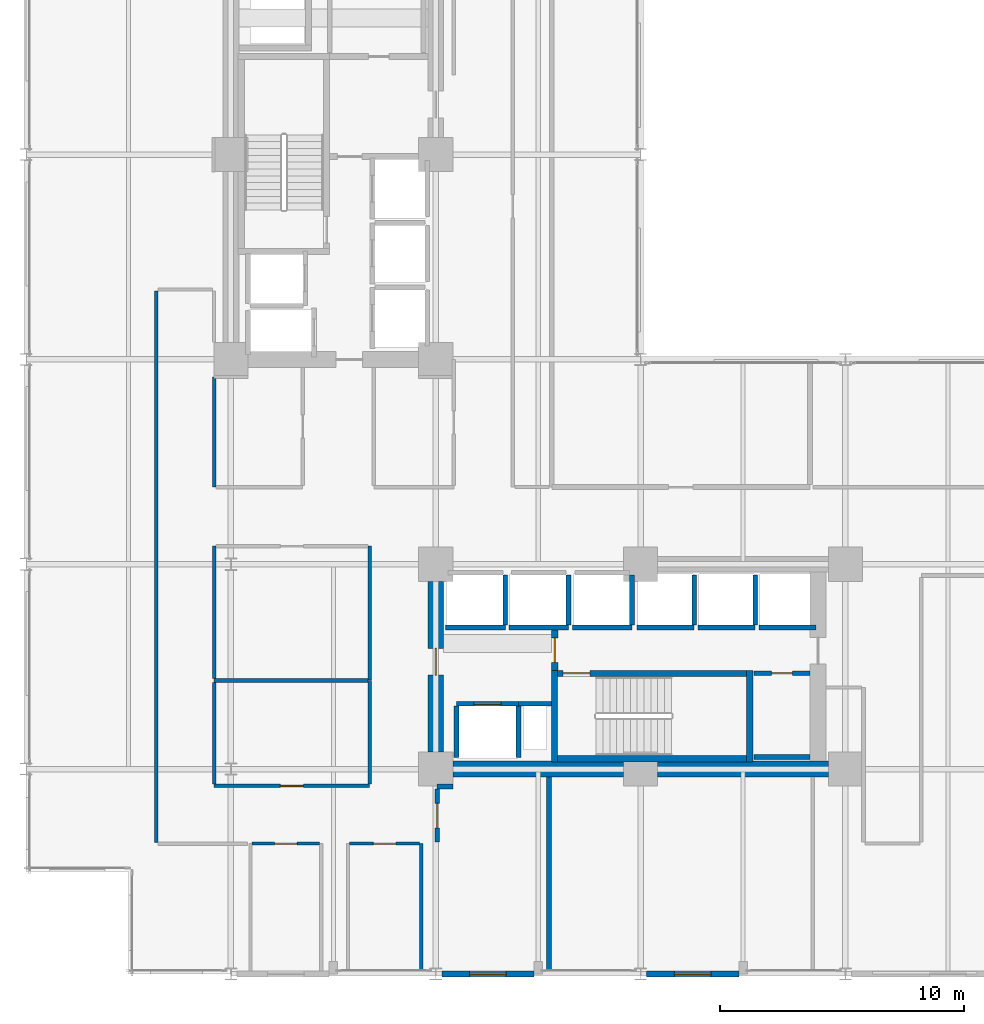
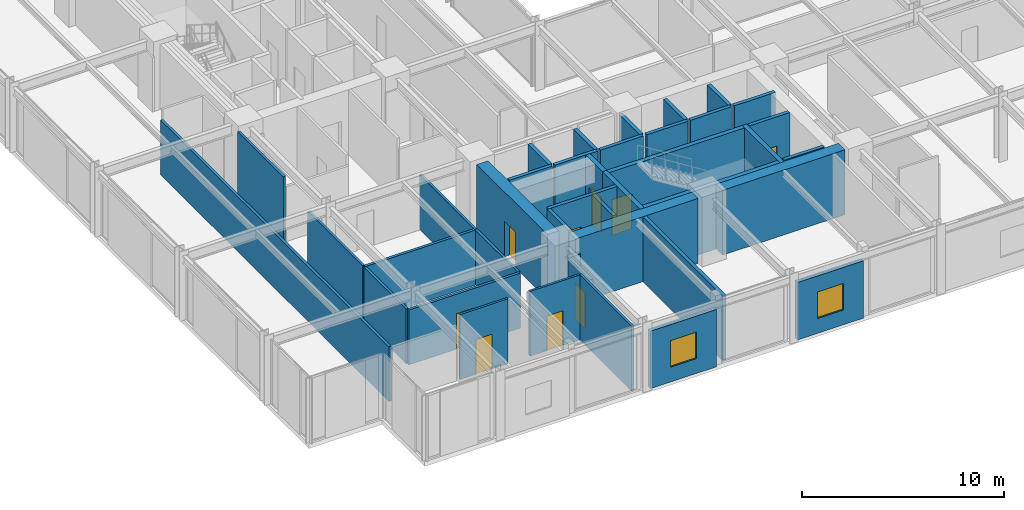
# One storey, part 21 of 26: 41 walls, 9 doors, 2 windows, 11 openings.
"""IFC4 building model written with IfcOpenShell, lengths in metres."""

from ifc_helpers import new_model, si_unit, direction, frame, frame_2d, origin, place, context, subcontext, project, spatial, rectangle, extrude, material, layer, layer_set, type_object, element, fill, save


model = new_model("IFC4")

# Units and contexts
model_context = context("Model", 3, precision=1e-05, world=origin(), true_north=direction((0.0, 1.0)))
body_context = subcontext(model_context, "Body", "Model", "MODEL_VIEW")
ifc_project = project(units=[si_unit("LENGTHUNIT", "METRE"), si_unit("AREAUNIT", "SQUARE_METRE"), si_unit("VOLUMEUNIT", "CUBIC_METRE"), si_unit("PLANEANGLEUNIT", "RADIAN"), si_unit("MASSUNIT", "GRAM", prefix="KILO")], contexts=[model_context])

# Site, building, storey
site_placement = place(None, origin())
site = spatial("IfcSite", under=ifc_project, at=site_placement, CompositionType="ELEMENT")
building_placement = place(site_placement, origin())
building = spatial("IfcBuilding", under=site, at=building_placement, Name="Nerrivon Quay Data Exchange", CompositionType="ELEMENT")
storey_placement = place(building_placement, frame((0.0, 0.0, 71.0)))
storey = spatial("IfcBuildingStorey", under=building, at=storey_placement, Name="L16", CompositionType="ELEMENT", Elevation=71.0)

# Wall, opening, window
ifc_material_1 = material(Name="Architectural terracotta precast concrete N50 (50 MPa)", Category="masonry")
ifc_layer_1 = layer(ifc_material_1, 0.239990234375)
ifc_layer_set_1 = layer_set([ifc_layer_1], Name="Architectural terracotta precast concrete N50 (50 MPa)")
wall_type_1 = type_object("IfcWallType", Name="EW-PREC-240", PredefinedType="STANDARD", material=ifc_layer_set_1)
wall_1_placement = place(storey_placement, frame((29.22509765625, 0.0, 0.0), z_axis=(0.0, 0.0, 1.0), x_axis=(-1.0, 0.0, 0.0)))
wall_1 = element("IfcWall", 1, at=wall_1_placement, inside=storey, type_object=wall_type_1, Name="L16 Podium Precast Spandrel Wall 9", PredefinedType="STANDARD", context=body_context, shape_type="SweptSolid", body=[
    extrude(rectangle(XDim=3.775146484375, YDim=0.239990234375, at=frame_2d((1.8876953125, 0.0))), origin(), (0.0, 0.0, 1.0), 3.470947265625),
])
opening_1_placement = place(wall_1_placement, frame((1.137451171875, 0.0, 0.89990234375)))
opening_1 = element("IfcOpeningElement", 2, at=opening_1_placement, cuts=wall_1, Name="Opening WN4", PredefinedType="OPENING", context=body_context, shape_type="SweptSolid", body=[
    extrude(rectangle(XDim=1.5, YDim=1.60009765625, at=frame_2d((0.75, 0.800048828125))), frame((0.0, 0.1298828125, 0.0), z_axis=(0.0, -1.0, 0.0), x_axis=(1.0, 0.0, 0.0)), (0.0, 0.0, 1.0), 0.260009765625),
])
ifc_material_2 = material(Name="Double-glazed low-E solar control glass", Category="glass")
window_type = type_object("IfcWindowType", Name="WIN-W4-1500x1600", PartitioningType="SINGLE_PANEL", PredefinedType="WINDOW", material=ifc_material_2)
window_1_placement = place(opening_1_placement, origin())
window_1 = element("IfcWindow", 3, at=window_1_placement, inside=storey, type_object=window_type, Name="L16 Solar Facade Window 9", OverallHeight=1.60009765625, OverallWidth=1.5, PartitioningType="SINGLE_PANEL", PredefinedType="WINDOW", context=body_context, shape_type="SweptSolid", body=[
    extrude(rectangle(XDim=1.5, YDim=1.60009765625, at=frame_2d((0.75, 0.800048828125))), frame((0.0, 0.030029296875, 0.0), z_axis=(0.0, -1.0, 0.0), x_axis=(1.0, 0.0, 0.0)), (0.0, 0.0, 1.0), 0.06005859375),
])
fill(opening_1, window_1)

wall_2_placement = place(storey_placement, frame((20.824951171875, 0.0, 0.0), z_axis=(0.0, 0.0, 1.0), x_axis=(-1.0, 0.0, 0.0)))
wall_2 = element("IfcWall", 4, at=wall_2_placement, inside=storey, type_object=wall_type_1, Name="L16 Podium Precast Spandrel Wall 11", PredefinedType="STANDARD", context=body_context, shape_type="SweptSolid", body=[
    extrude(rectangle(XDim=3.77490234375, YDim=0.239990234375, at=frame_2d((1.887451171875, 0.0))), origin(), (0.0, 0.0, 1.0), 3.470947265625),
])
opening_2_placement = place(wall_2_placement, frame((1.137451171875, 0.0, 0.89990234375)))
opening_2 = element("IfcOpeningElement", 5, at=opening_2_placement, cuts=wall_2, Name="Opening WN4", PredefinedType="OPENING", context=body_context, shape_type="SweptSolid", body=[
    extrude(rectangle(XDim=1.5, YDim=1.60009765625, at=frame_2d((0.75, 0.800048828125))), frame((0.0, 0.1298828125, 0.0), z_axis=(0.0, -1.0, 0.0), x_axis=(1.0, 0.0, 0.0)), (0.0, 0.0, 1.0), 0.260009765625),
])
window_2_placement = place(opening_2_placement, origin())
window_2 = element("IfcWindow", 6, at=window_2_placement, inside=storey, type_object=window_type, Name="L16 Solar Facade Window 11", OverallHeight=1.60009765625, OverallWidth=1.5, PartitioningType="SINGLE_PANEL", PredefinedType="WINDOW", context=body_context, shape_type="SweptSolid", body=[
    extrude(rectangle(XDim=1.5, YDim=1.60009765625, at=frame_2d((0.75, 0.800048828125))), frame((0.0, 0.030029296875, 0.0), z_axis=(0.0, -1.0, 0.0), x_axis=(1.0, 0.0, 0.0)), (0.0, 0.0, 1.0), 0.06005859375),
])
fill(opening_2, window_2)

# Walls
ifc_material_3 = material(Name="Concrete N80 (80 MPa)", Category="concrete")
ifc_layer_2 = layer(ifc_material_3, 0.64990234375)
ifc_layer_set_2 = layer_set([ifc_layer_2], Name="Concrete N80 (80 MPa)")
wall_type_2 = type_object("IfcWallType", Name="WALL-CW-850", PredefinedType="SHEAR", material=ifc_layer_set_2)
for number, where, z_axis, x_axis, name in (
    (7, (17.5, 8.39990234375, 0.0), (0.0, 0.0, 1.0), (1.0, 0.0, 0.0), "L16 East Split-Core Shear Wall ECW-S1"),
    (8, (25.89990234375, 8.39990234375, 0.0), (0.0, 0.0, 1.0), (1.0, 0.0, 0.0), "L16 East Split-Core Shear Wall ECW-S2"),
):
    element("IfcWall", number, at=place(storey_placement, frame(where, z_axis=z_axis, x_axis=x_axis)), inside=storey, type_object=wall_type_2, Name=name, PredefinedType="SHEAR", context=body_context, shape_type="SweptSolid", body=[
        extrude(rectangle(XDim=7.0, YDim=0.64990234375, at=frame_2d((3.5, 0.0))), origin(), (0.0, 0.0, 1.0), 3.925048828125),
    ])

# Wall, opening, door
wall_3_placement = place(storey_placement, frame((16.800048828125, 9.10009765625, 0.0), z_axis=(0.0, 0.0, 1.0), x_axis=(0.0, 1.0, 0.0)))
wall_3 = element("IfcWall", 9, at=wall_3_placement, inside=storey, type_object=wall_type_2, Name="L16 East Split-Core Shear Wall ECW-W1", PredefinedType="SHEAR", context=body_context, shape_type="SweptSolid", body=[
    extrude(rectangle(XDim=7.0, YDim=0.64990234375, at=frame_2d((3.5, 0.0))), origin(), (0.0, 0.0, 1.0), 3.925048828125),
])
opening_3_placement = place(wall_3_placement, frame((3.14990234375, 0.0, 0.0)))
opening_3 = element("IfcOpeningElement", 10, at=opening_3_placement, cuts=wall_3, Name="Opening FD-120", PredefinedType="OPENING", context=body_context, shape_type="SweptSolid", body=[
    extrude(rectangle(XDim=1.10009765625, YDim=2.14990234375, at=frame_2d((0.550048828125, 1.074951171875))), frame((0.0, 0.3349609375, 0.0), z_axis=(0.0, -1.0, 0.0), x_axis=(1.0, 0.0, 0.0)), (0.0, 0.0, 1.0), 0.669921875),
])
ifc_material_4 = material(Name="Powder-coated galvanized steel sheet", Category="steel")
door_type_1 = type_object("IfcDoorType", Name="DR-FD120-1100", OperationType="NOTDEFINED", PredefinedType="DOOR", material=ifc_material_4)
door_1_placement = place(opening_3_placement, origin())
door_1 = element("IfcDoor", 11, at=door_1_placement, inside=storey, type_object=door_type_1, Name="L16 East Core Lobby Fire Door", OperationType="SINGLE_SWING_LEFT", OverallHeight=2.14990234375, OverallWidth=1.10009765625, PredefinedType="DOOR", context=body_context, shape_type="SweptSolid", body=[
    extrude(rectangle(XDim=1.10009765625, YDim=2.14990234375, at=frame_2d((0.550048828125, 1.074951171875))), frame((0.0, 0.02490234375, 0.0), z_axis=(0.0, -1.0, 0.0), x_axis=(1.0, 0.0, 0.0)), (0.0, 0.0, 1.0), 0.050048828125),
])
fill(opening_3, door_1)

# Wall
ifc_material_5 = material(Name="Gypsum plasterboard on cold-formed framing", Category="gypsum")
ifc_layer_3 = layer(ifc_material_5, 0.199951171875)
ifc_layer_set_3 = layer_set([ifc_layer_3], Name="Gypsum plasterboard on cold-formed framing")
wall_type_3 = type_object("IfcWallType", Name="WALL-FW-200", PredefinedType="PARTITIONING", material=ifc_layer_set_3)
wall_4_placement = place(storey_placement, frame((20.199951171875, 11.080078125, 0.0), z_axis=(0.0, 0.0, 1.0), x_axis=(1.0, 0.0, 0.0)))
element("IfcWall", 12, at=wall_4_placement, inside=storey, type_object=wall_type_3, Name="L16 East Core MEP Riser Shaft Wall N", PredefinedType="PARTITIONING", context=body_context, shape_type="SweptSolid", body=[
    extrude(rectangle(XDim=1.35009765625, YDim=0.199951171875, at=frame_2d((0.675048828125, 0.0))), origin(), (0.0, 0.0, 1.0), 3.925048828125),
])

# Wall, opening, door
wall_5_placement = place(storey_placement, frame((17.64990234375, 11.080078125, 0.0), z_axis=(0.0, 0.0, 1.0), x_axis=(1.0, 0.0, 0.0)))
wall_5 = element("IfcWall", 13, at=wall_5_placement, inside=storey, type_object=wall_type_3, Name="L16 Lift Front Wall FFL-2", PredefinedType="PARTITIONING", context=body_context, shape_type="SweptSolid", body=[
    extrude(rectangle(XDim=2.550048828125, YDim=0.199951171875, at=frame_2d((1.27490234375, 0.0))), origin(), (0.0, 0.0, 1.0), 3.925048828125),
])
opening_4_placement = place(wall_5_placement, frame((0.72509765625, 0.0, 0.0)))
opening_4 = element("IfcOpeningElement", 14, at=opening_4_placement, cuts=wall_5, Name="Opening LD-120", PredefinedType="OPENING", context=body_context, shape_type="SweptSolid", body=[
    extrude(rectangle(XDim=1.10009765625, YDim=2.199951171875, at=frame_2d((0.550048828125, 1.10009765625))), frame((0.0, 0.10986328125, 0.0), z_axis=(0.0, -1.0, 0.0), x_axis=(1.0, 0.0, 0.0)), (0.0, 0.0, 1.0), 0.219970703125),
])
door_type_2 = type_object("IfcDoorType", Name="DR-LIFT-LD120", OperationType="DOUBLE_DOOR_SLIDING", PredefinedType="DOOR", material=ifc_material_4)
door_2_placement = place(opening_4_placement, origin())
door_2 = element("IfcDoor", 15, at=door_2_placement, inside=storey, type_object=door_type_2, Name="L16 Lift Landing Sliding Door FFL-2", OperationType="DOUBLE_DOOR_SLIDING", OverallHeight=2.199951171875, OverallWidth=1.10009765625, PredefinedType="DOOR", context=body_context, shape_type="SweptSolid", body=[
    extrude(rectangle(XDim=1.10009765625, YDim=2.199951171875, at=frame_2d((0.550048828125, 1.10009765625))), frame((0.0, 0.02490234375, 0.0), z_axis=(0.0, -1.0, 0.0), x_axis=(1.0, 0.0, 0.0)), (0.0, 0.0, 1.0), 0.050048828125),
])
fill(opening_4, door_2)

# Walls
for number, where, z_axis, x_axis, name in (
    (16, (20.199951171875, 8.8798828125, 0.0), (0.0, 0.0, 1.0), (0.0, 1.0, 0.0), "L16 Lift Shaft Wall FFL-2 EAST"),
    (17, (17.64990234375, 8.8798828125, 0.0), (0.0, 0.0, 1.0), (0.0, 1.0, 0.0), "L16 Lift Shaft Wall FFL-2 WEST"),
):
    element("IfcWall", number, at=place(storey_placement, frame(where, z_axis=z_axis, x_axis=x_axis)), inside=storey, type_object=wall_type_3, Name=name, PredefinedType="PARTITIONING", context=body_context, shape_type="SweptSolid", body=[
        extrude(rectangle(XDim=2.10009765625, YDim=0.199951171875, at=frame_2d((1.050048828125, 0.0))), origin(), (0.0, 0.0, 1.0), 3.925048828125),
    ])
wall_6_placement = place(storey_placement, frame((17.199951171875, 14.199951171875, 0.0), z_axis=(0.0, 0.0, 1.0), x_axis=(1.0, 0.0, 0.0)))
element("IfcWall", 18, at=wall_6_placement, inside=storey, type_object=wall_type_3, Name="L16 Lift Front Wall PL4", PredefinedType="PARTITIONING", context=body_context, shape_type="SweptSolid", body=[
    extrude(rectangle(XDim=2.449951171875, YDim=0.199951171875, at=frame_2d((1.22509765625, 0.0))), origin(), (0.0, 0.0, 1.0), 3.925048828125),
])
wall_7_placement = place(storey_placement, frame((19.64990234375, 14.300048828125, 0.0), z_axis=(0.0, 0.0, 1.0), x_axis=(0.0, 1.0, 0.0)))
element("IfcWall", 19, at=wall_7_placement, inside=storey, type_object=wall_type_3, Name="L16 Lift Shaft Wall PL4 EAST", PredefinedType="PARTITIONING", context=body_context, shape_type="SweptSolid", body=[
    extrude(rectangle(XDim=2.050048828125, YDim=0.199951171875, at=frame_2d((1.02490234375, 0.0))), origin(), (0.0, 0.0, 1.0), 3.925048828125),
])
wall_8_placement = place(storey_placement, frame((19.800048828125, 14.199951171875, 0.0), z_axis=(0.0, 0.0, 1.0), x_axis=(1.0, 0.0, 0.0)))
element("IfcWall", 20, at=wall_8_placement, inside=storey, type_object=wall_type_3, Name="L16 Lift Front Wall PL5", PredefinedType="PARTITIONING", context=body_context, shape_type="SweptSolid", body=[
    extrude(rectangle(XDim=2.449951171875, YDim=0.199951171875, at=frame_2d((1.22509765625, 0.0))), origin(), (0.0, 0.0, 1.0), 3.925048828125),
])
wall_9_placement = place(storey_placement, frame((22.25, 14.300048828125, 0.0), z_axis=(0.0, 0.0, 1.0), x_axis=(0.0, 1.0, 0.0)))
element("IfcWall", 21, at=wall_9_placement, inside=storey, type_object=wall_type_3, Name="L16 Lift Shaft Wall PL5 EAST", PredefinedType="PARTITIONING", context=body_context, shape_type="SweptSolid", body=[
    extrude(rectangle(XDim=2.050048828125, YDim=0.199951171875, at=frame_2d((1.02490234375, 0.0))), origin(), (0.0, 0.0, 1.0), 3.925048828125),
])
wall_10_placement = place(storey_placement, frame((22.39990234375, 14.199951171875, 0.0), z_axis=(0.0, 0.0, 1.0), x_axis=(1.0, 0.0, 0.0)))
element("IfcWall", 22, at=wall_10_placement, inside=storey, type_object=wall_type_3, Name="L16 Lift Front Wall PL6", PredefinedType="PARTITIONING", context=body_context, shape_type="SweptSolid", body=[
    extrude(rectangle(XDim=2.4501953125, YDim=0.199951171875, at=frame_2d((1.22509765625, 0.0))), origin(), (0.0, 0.0, 1.0), 3.925048828125),
])
wall_11_placement = place(storey_placement, frame((24.85009765625, 14.300048828125, 0.0), z_axis=(0.0, 0.0, 1.0), x_axis=(0.0, 1.0, 0.0)))
element("IfcWall", 23, at=wall_11_placement, inside=storey, type_object=wall_type_3, Name="L16 Lift Shaft Wall PL6 EAST", PredefinedType="PARTITIONING", context=body_context, shape_type="SweptSolid", body=[
    extrude(rectangle(XDim=2.050048828125, YDim=0.199951171875, at=frame_2d((1.02490234375, 0.0))), origin(), (0.0, 0.0, 1.0), 3.925048828125),
])
wall_12_placement = place(storey_placement, frame((25.050048828125, 14.199951171875, 0.0), z_axis=(0.0, 0.0, 1.0), x_axis=(1.0, 0.0, 0.0)))
element("IfcWall", 24, at=wall_12_placement, inside=storey, type_object=wall_type_3, Name="L16 Lift Front Wall PL7", PredefinedType="PARTITIONING", context=body_context, shape_type="SweptSolid", body=[
    extrude(rectangle(XDim=2.349853515625, YDim=0.199951171875, at=frame_2d((1.1748046875, 0.0))), origin(), (0.0, 0.0, 1.0), 3.925048828125),
])
wall_13_placement = place(storey_placement, frame((27.39990234375, 14.300048828125, 0.0), z_axis=(0.0, 0.0, 1.0), x_axis=(0.0, 1.0, 0.0)))
element("IfcWall", 25, at=wall_13_placement, inside=storey, type_object=wall_type_3, Name="L16 Lift Shaft Wall PL7 EAST", PredefinedType="PARTITIONING", context=body_context, shape_type="SweptSolid", body=[
    extrude(rectangle(XDim=2.050048828125, YDim=0.199951171875, at=frame_2d((1.02490234375, 0.0))), origin(), (0.0, 0.0, 1.0), 3.925048828125),
])
wall_14_placement = place(storey_placement, frame((27.550048828125, 14.199951171875, 0.0), z_axis=(0.0, 0.0, 1.0), x_axis=(1.0, 0.0, 0.0)))
element("IfcWall", 26, at=wall_14_placement, inside=storey, type_object=wall_type_3, Name="L16 Lift Front Wall PL8", PredefinedType="PARTITIONING", context=body_context, shape_type="SweptSolid", body=[
    extrude(rectangle(XDim=2.349853515625, YDim=0.199951171875, at=frame_2d((1.1748046875, 0.0))), origin(), (0.0, 0.0, 1.0), 3.925048828125),
])
wall_15_placement = place(storey_placement, frame((29.89990234375, 14.300048828125, 0.0), z_axis=(0.0, 0.0, 1.0), x_axis=(0.0, 1.0, 0.0)))
element("IfcWall", 27, at=wall_15_placement, inside=storey, type_object=wall_type_3, Name="L16 Lift Shaft Wall PL8 EAST", PredefinedType="PARTITIONING", context=body_context, shape_type="SweptSolid", body=[
    extrude(rectangle(XDim=2.050048828125, YDim=0.199951171875, at=frame_2d((1.02490234375, 0.0))), origin(), (0.0, 0.0, 1.0), 3.925048828125),
])
wall_16_placement = place(storey_placement, frame((30.050048828125, 14.199951171875, 0.0), z_axis=(0.0, 0.0, 1.0), x_axis=(1.0, 0.0, 0.0)))
element("IfcWall", 28, at=wall_16_placement, inside=storey, type_object=wall_type_3, Name="L16 Lift Front Wall PL9", PredefinedType="PARTITIONING", context=body_context, shape_type="SweptSolid", body=[
    extrude(rectangle(XDim=2.349853515625, YDim=0.199951171875, at=frame_2d((1.1748046875, 0.0))), origin(), (0.0, 0.0, 1.0), 3.925048828125),
])

# Wall, opening, door
wall_17_placement = place(storey_placement, frame((32.14599609375, 12.330078125, 0.0), z_axis=(0.0, 0.0, 1.0), x_axis=(-1.0, 0.0, 0.0)))
wall_17 = element("IfcWall", 29, at=wall_17_placement, inside=storey, type_object=wall_type_3, Name="L16 Partition East Telecom Closet", PredefinedType="PARTITIONING", context=body_context, shape_type="SweptSolid", body=[
    extrude(rectangle(XDim=2.2958984375, YDim=0.199951171875, at=frame_2d((1.14794921875, 0.0))), origin(), (0.0, 0.0, 1.0), 3.925048828125),
])
opening_5_placement = place(wall_17_placement, frame((0.722900390625, 0.0, 0.0)))
opening_5 = element("IfcOpeningElement", 30, at=opening_5_placement, cuts=wall_17, Name="Opening FD-60S", PredefinedType="OPENING", context=body_context, shape_type="SweptSolid", body=[
    extrude(rectangle(XDim=0.85009765625, YDim=2.14990234375, at=frame_2d((0.425048828125, 1.074951171875))), frame((0.0, 0.10986328125, 0.0), z_axis=(0.0, -1.0, 0.0), x_axis=(1.0, 0.0, 0.0)), (0.0, 0.0, 1.0), 0.219970703125),
])
ifc_material_6 = material(Name="Engineered hardwood timber", Category="wood")
door_type_3 = type_object("IfcDoorType", Name="DR-FD60-850", OperationType="NOTDEFINED", PredefinedType="DOOR", material=ifc_material_6)
door_3_placement = place(opening_5_placement, origin())
door_3 = element("IfcDoor", 31, at=door_3_placement, inside=storey, type_object=door_type_3, Name="L16 Door East Telecom Closet", OperationType="SINGLE_SWING_LEFT", OverallHeight=2.14990234375, OverallWidth=0.85009765625, PredefinedType="DOOR", context=body_context, shape_type="SweptSolid", body=[
    extrude(rectangle(XDim=0.85009765625, YDim=2.14990234375, at=frame_2d((0.425048828125, 1.074951171875))), frame((0.0, 0.02490234375, 0.0), z_axis=(0.0, -1.0, 0.0), x_axis=(1.0, 0.0, 0.0)), (0.0, 0.0, 1.0), 0.050048828125),
])
fill(opening_5, door_3)

# Walls
wall_18_placement = place(storey_placement, frame((29.85009765625, 8.89990234375, 0.0), z_axis=(0.0, 0.0, 1.0), x_axis=(1.0, 0.0, 0.0)))
element("IfcWall", 32, at=wall_18_placement, inside=storey, type_object=wall_type_3, Name="L16 Partition East Telecom Closet", PredefinedType="PARTITIONING", context=body_context, shape_type="SweptSolid", body=[
    extrude(rectangle(XDim=2.2958984375, YDim=0.199951171875, at=frame_2d((1.14794921875, 0.0))), origin(), (0.0, 0.0, 1.0), 3.925048828125),
])
wall_19_placement = place(storey_placement, frame((21.436767578125, 0.1689453125, 0.0), z_axis=(0.0, 0.0, 1.0), x_axis=(0.0, 1.0, 0.0)))
element("IfcWall", 33, at=wall_19_placement, inside=storey, type_object=wall_type_3, Name="L16 Partition Colocation Data Workspace 1", PredefinedType="PARTITIONING", context=body_context, shape_type="SweptSolid", body=[
    extrude(rectangle(XDim=7.902099609375, YDim=0.199951171875, at=frame_2d((3.951171875, 0.0))), origin(), (0.0, 0.0, 1.0), 3.925048828125),
])
wall_20_placement = place(storey_placement, frame((17.5, 7.679931640625, 0.0), z_axis=(0.0, 0.0, 1.0), x_axis=(-1.0, 0.0, 0.0)))
element("IfcWall", 34, at=wall_20_placement, inside=storey, type_object=wall_type_3, Name="L16 Partition Colocation Data Workspace 1", PredefinedType="PARTITIONING", context=body_context, shape_type="SweptSolid", body=[
    extrude(rectangle(XDim=0.639892578125, YDim=0.199951171875, at=frame_2d((0.31982421875, 0.0))), origin(), (0.0, 0.0, 1.0), 3.322998046875),
])

# Wall, opening, door
wall_21_placement = place(storey_placement, frame((16.860107421875, 7.575927734375, 0.0), z_axis=(0.0, 0.0, 1.0), x_axis=(0.0, -1.0, 0.0)))
wall_21 = element("IfcWall", 35, at=wall_21_placement, inside=storey, type_object=wall_type_3, Name="L16 Partition Colocation Data Workspace 1", PredefinedType="PARTITIONING", context=body_context, shape_type="SweptSolid", body=[
    extrude(rectangle(XDim=2.176025390625, YDim=0.199951171875, at=frame_2d((1.087890625, 0.0))), origin(), (0.0, 0.0, 1.0), 3.322998046875),
])
opening_6_placement = place(wall_21_placement, frame((0.587890625, 0.0, 0.0)))
opening_6 = element("IfcOpeningElement", 36, at=opening_6_placement, cuts=wall_21, Name="Opening FD-60", PredefinedType="OPENING", context=body_context, shape_type="SweptSolid", body=[
    extrude(rectangle(XDim=1.0, YDim=2.14990234375, at=frame_2d((0.5, 1.074951171875))), frame((0.0, 0.10986328125, 0.0), z_axis=(0.0, -1.0, 0.0), x_axis=(1.0, 0.0, 0.0)), (0.0, 0.0, 1.0), 0.219970703125),
])
door_type_4 = type_object("IfcDoorType", Name="DR-FD60-1000", OperationType="NOTDEFINED", PredefinedType="DOOR", material=ifc_material_6)
door_4_placement = place(opening_6_placement, origin())
door_4 = element("IfcDoor", 37, at=door_4_placement, inside=storey, type_object=door_type_4, Name="L16 Door Colocation Data Workspace 1", OperationType="SINGLE_SWING_LEFT", OverallHeight=2.14990234375, OverallWidth=1.0, PredefinedType="DOOR", context=body_context, shape_type="SweptSolid", body=[
    extrude(rectangle(XDim=1.0, YDim=2.14990234375, at=frame_2d((0.5, 1.074951171875))), frame((0.0, 0.02490234375, 0.0), z_axis=(0.0, -1.0, 0.0), x_axis=(1.0, 0.0, 0.0)), (0.0, 0.0, 1.0), 0.050048828125),
])
fill(opening_6, door_4)

ifc_layer_4 = layer(ifc_material_5, 0.1201171875)
ifc_layer_set_4 = layer_set([ifc_layer_4], Name="Gypsum plasterboard on cold-formed framing")
wall_type_4 = type_object("IfcWallType", Name="WALL-PT-120", PredefinedType="PARTITIONING", material=ifc_layer_set_4)
wall_22_placement = place(storey_placement, frame((12.028564453125, 5.340087890625, 0.0), z_axis=(0.0, 0.0, 1.0), x_axis=(-1.0, 0.0, 0.0)))
wall_22 = element("IfcWall", 38, at=wall_22_placement, inside=storey, type_object=wall_type_4, Name="L16 Partition Accessible Toilet", PredefinedType="PARTITIONING", context=body_context, shape_type="SweptSolid", body=[
    extrude(rectangle(XDim=2.757080078125, YDim=0.1201171875, at=frame_2d((1.37841796875, 0.0))), origin(), (0.0, 0.0, 1.0), 3.925048828125),
])
opening_7_placement = place(wall_22_placement, frame((0.91845703125, 0.0, 0.0)))
opening_7 = element("IfcOpeningElement", 39, at=opening_7_placement, cuts=wall_22, Name="Opening D-WC", PredefinedType="OPENING", context=body_context, shape_type="SweptSolid", body=[
    extrude(rectangle(XDim=0.919921875, YDim=2.10009765625, at=frame_2d((0.4599609375, 1.050048828125))), frame((0.0, 0.070068359375, 0.0), z_axis=(0.0, -1.0, 0.0), x_axis=(1.0, 0.0, 0.0)), (0.0, 0.0, 1.0), 0.14013671875),
])
door_type_5 = type_object("IfcDoorType", Name="DR-WC-920", OperationType="NOTDEFINED", PredefinedType="DOOR", material=ifc_material_6)
door_5_placement = place(opening_7_placement, origin())
door_5 = element("IfcDoor", 40, at=door_5_placement, inside=storey, type_object=door_type_5, Name="L16 Door Accessible Toilet", OperationType="SINGLE_SWING_RIGHT", OverallHeight=2.10009765625, OverallWidth=0.919921875, PredefinedType="DOOR", context=body_context, shape_type="SweptSolid", body=[
    extrude(rectangle(XDim=0.919921875, YDim=2.10009765625, at=frame_2d((0.4599609375, 1.050048828125))), frame((0.0, 0.02490234375, 0.0), z_axis=(0.0, -1.0, 0.0), x_axis=(1.0, 0.0, 0.0)), (0.0, 0.0, 1.0), 0.050048828125),
])
fill(opening_7, door_5)

wall_23_placement = place(storey_placement, frame((16.12841796875, 5.340087890625, 0.0), z_axis=(0.0, 0.0, 1.0), x_axis=(-1.0, 0.0, 0.0)))
wall_23 = element("IfcWall", 41, at=wall_23_placement, inside=storey, type_object=wall_type_4, Name="L16 Partition Public Washrooms", PredefinedType="PARTITIONING", context=body_context, shape_type="SweptSolid", body=[
    extrude(rectangle(XDim=2.85693359375, YDim=0.1201171875, at=frame_2d((1.428466796875, 0.0))), origin(), (0.0, 0.0, 1.0), 3.925048828125),
])
opening_8_placement = place(wall_23_placement, frame((0.968505859375, 0.0, 0.0)))
opening_8 = element("IfcOpeningElement", 42, at=opening_8_placement, cuts=wall_23, Name="Opening D-WC", PredefinedType="OPENING", context=body_context, shape_type="SweptSolid", body=[
    extrude(rectangle(XDim=0.919921875, YDim=2.10009765625, at=frame_2d((0.4599609375, 1.050048828125))), frame((0.0, 0.070068359375, 0.0), z_axis=(0.0, -1.0, 0.0), x_axis=(1.0, 0.0, 0.0)), (0.0, 0.0, 1.0), 0.14013671875),
])
door_6_placement = place(opening_8_placement, origin())
door_6 = element("IfcDoor", 43, at=door_6_placement, inside=storey, type_object=door_type_5, Name="L16 Door Public Washrooms", OperationType="SINGLE_SWING_LEFT", OverallHeight=2.10009765625, OverallWidth=0.919921875, PredefinedType="DOOR", context=body_context, shape_type="SweptSolid", body=[
    extrude(rectangle(XDim=0.919921875, YDim=2.10009765625, at=frame_2d((0.4599609375, 1.050048828125))), frame((0.0, 0.02490234375, 0.0), z_axis=(0.0, -1.0, 0.0), x_axis=(1.0, 0.0, 0.0)), (0.0, 0.0, 1.0), 0.050048828125),
])
fill(opening_8, door_6)

# Walls
ifc_layer_5 = layer(ifc_material_5, 0.135009765625)
ifc_layer_set_5 = layer_set([ifc_layer_5], Name="Gypsum plasterboard on cold-formed framing")
wall_type_5 = type_object("IfcWallType", Name="WALL-PT-135", PredefinedType="PARTITIONING", material=ifc_layer_set_5)
wall_24_placement = place(storey_placement, frame((16.199951171875, 0.1689453125, 0.0), z_axis=(0.0, 0.0, 1.0), x_axis=(0.0, 1.0, 0.0)))
element("IfcWall", 44, at=wall_24_placement, inside=storey, type_object=wall_type_5, Name="L16 Partition Public Washrooms", PredefinedType="PARTITIONING", context=body_context, shape_type="SweptSolid", body=[
    extrude(rectangle(XDim=5.171142578125, YDim=0.135009765625, at=frame_2d((2.58544921875, 0.0))), origin(), (0.0, 0.0, 1.0), 3.925048828125),
])
wall_25_placement = place(storey_placement, frame((14.090087890625, 7.7890625, 0.0), z_axis=(0.0, 0.0, 1.0), x_axis=(0.0, 1.0, 0.0)))
element("IfcWall", 45, at=wall_25_placement, inside=storey, type_object=wall_type_5, Name="L16 Partition Technical Library", PredefinedType="PARTITIONING", context=body_context, shape_type="SweptSolid", body=[
    extrude(rectangle(XDim=4.24609375, YDim=0.135009765625, at=frame_2d((2.123046875, 0.0))), origin(), (0.0, 0.0, 1.0), 3.31298828125),
])
wall_26_placement = place(storey_placement, frame((7.7099609375, 11.956298828125, 0.0), z_axis=(0.0, 0.0, 1.0), x_axis=(0.0, -1.0, 0.0)))
element("IfcWall", 46, at=wall_26_placement, inside=storey, type_object=wall_type_5, Name="L16 Partition Technical Library", PredefinedType="PARTITIONING", context=body_context, shape_type="SweptSolid", body=[
    extrude(rectangle(XDim=4.167236328125, YDim=0.135009765625, at=frame_2d((2.08349609375, 0.0))), origin(), (0.0, 0.0, 1.0), 3.31298828125),
])
wall_27_placement = place(storey_placement, frame((7.7099609375, 17.5400390625, 0.0), z_axis=(0.0, 0.0, 1.0), x_axis=(0.0, -1.0, 0.0)))
element("IfcWall", 47, at=wall_27_placement, inside=storey, type_object=wall_type_5, Name="L16 Partition Cloud Compute Workspace 1", PredefinedType="PARTITIONING", context=body_context, shape_type="SweptSolid", body=[
    extrude(rectangle(XDim=5.42578125, YDim=0.135009765625, at=frame_2d((2.712890625, 0.0))), origin(), (0.0, 0.0, 1.0), 3.31298828125),
])
wall_28_placement = place(storey_placement, frame((14.090087890625, 12.05517578125, 0.0), z_axis=(0.0, 0.0, 1.0), x_axis=(0.0, 1.0, 0.0)))
element("IfcWall", 48, at=wall_28_placement, inside=storey, type_object=wall_type_5, Name="L16 Partition Cloud Compute Workspace 1", PredefinedType="PARTITIONING", context=body_context, shape_type="SweptSolid", body=[
    extrude(rectangle(XDim=5.48486328125, YDim=0.135009765625, at=frame_2d((2.742431640625, 0.0))), origin(), (0.0, 0.0, 1.0), 3.31298828125),
])
wall_29_placement = place(storey_placement, frame((7.7099609375, 24.47998046875, 0.0), z_axis=(0.0, 0.0, 1.0), x_axis=(0.0, -1.0, 0.0)))
element("IfcWall", 49, at=wall_29_placement, inside=storey, type_object=wall_type_5, Name="L16 Partition Optical Engineering Studios Workspace", PredefinedType="PARTITIONING", context=body_context, shape_type="SweptSolid", body=[
    extrude(rectangle(XDim=4.52001953125, YDim=0.135009765625, at=frame_2d((2.260009765625, 0.0))), origin(), (0.0, 0.0, 1.0), 3.925048828125),
])

# Wall, opening, door
ifc_layer_6 = layer(ifc_material_5, 0.14990234375)
ifc_layer_set_6 = layer_set([ifc_layer_6], Name="Gypsum plasterboard on cold-formed framing")
wall_type_6 = type_object("IfcWallType", Name="WALL-PT-150", PredefinedType="PARTITIONING", material=ifc_layer_set_6)
wall_30_placement = place(storey_placement, frame((7.7099609375, 7.7099609375, 0.0), z_axis=(0.0, 0.0, 1.0), x_axis=(1.0, 0.0, 0.0)))
wall_30 = element("IfcWall", 50, at=wall_30_placement, inside=storey, type_object=wall_type_6, Name="L16 Partition Technical Library", PredefinedType="PARTITIONING", context=body_context, shape_type="SweptSolid", body=[
    extrude(rectangle(XDim=6.380126953125, YDim=0.14990234375, at=frame_2d((3.18994140625, 0.0))), origin(), (0.0, 0.0, 1.0), 3.322998046875),
])
opening_9_placement = place(wall_30_placement, frame((2.715087890625, 0.0, 0.0)))
opening_9 = element("IfcOpeningElement", 51, at=opening_9_placement, cuts=wall_30, Name="Opening D-01", PredefinedType="OPENING", context=body_context, shape_type="SweptSolid", body=[
    extrude(rectangle(XDim=0.949951171875, YDim=2.14990234375, at=frame_2d((0.47509765625, 1.074951171875))), frame((0.0, 0.0849609375, 0.0), z_axis=(0.0, -1.0, 0.0), x_axis=(1.0, 0.0, 0.0)), (0.0, 0.0, 1.0), 0.169921875),
])
door_type_6 = type_object("IfcDoorType", Name="DR-INT-950", OperationType="NOTDEFINED", PredefinedType="DOOR", material=ifc_material_6)
door_7_placement = place(opening_9_placement, origin())
door_7 = element("IfcDoor", 52, at=door_7_placement, inside=storey, type_object=door_type_6, Name="L16 Door Technical Library", OperationType="SINGLE_SWING_LEFT", OverallHeight=2.14990234375, OverallWidth=0.949951171875, PredefinedType="DOOR", context=body_context, shape_type="SweptSolid", body=[
    extrude(rectangle(XDim=0.949951171875, YDim=2.14990234375, at=frame_2d((0.47509765625, 1.074951171875))), frame((0.0, 0.02490234375, 0.0), z_axis=(0.0, -1.0, 0.0), x_axis=(1.0, 0.0, 0.0)), (0.0, 0.0, 1.0), 0.050048828125),
])
fill(opening_9, door_7)

# Walls
wall_31_placement = place(storey_placement, frame((14.0185546875, 12.03515625, 0.0), z_axis=(0.0, 0.0, 1.0), x_axis=(-1.0, 0.0, 0.0)))
element("IfcWall", 53, at=wall_31_placement, inside=storey, type_object=wall_type_6, Name="L16 Partition Technical Library", PredefinedType="PARTITIONING", context=body_context, shape_type="SweptSolid", body=[
    extrude(rectangle(XDim=6.30859375, YDim=0.14990234375, at=frame_2d((3.154296875, 0.0))), origin(), (0.0, 0.0, 1.0), 3.322998046875),
])
wall_32_placement = place(storey_placement, frame((5.34033203125, 5.39404296875, 0.0), z_axis=(0.0, 0.0, 1.0), x_axis=(-1.0799836e-05, 0.999999999942, 0.0)))
element("IfcWall", 54, at=wall_32_placement, inside=storey, type_object=wall_type_6, Name="L16 Partition Optical Engineering Studios Workspace", PredefinedType="PARTITIONING", context=body_context, shape_type="SweptSolid", body=[
    extrude(rectangle(XDim=22.60595703125, YDim=0.14990234375, at=frame_2d((11.302978515625, 0.0))), origin(), (0.0, 0.0, 1.0), 3.31298828125),
])
ifc_material_7 = material(Name="Concrete N50 (50 MPa)", Category="concrete")
ifc_layer_7 = layer(ifc_material_7, 0.25)
ifc_layer_set_7 = layer_set([ifc_layer_7], Name="Concrete N50 (50 MPa)")
wall_type_7 = type_object("IfcWallType", Name="WALL-SW-250", PredefinedType="SHEAR", material=ifc_layer_set_7)
for number, where, z_axis, x_axis, name in (
    (55, (21.675048828125, 8.699951171875, 0.0), (0.0, 0.0, 1.0), (0.0, 1.0, 0.0), "L16 ST02 Structural Stair Core Wall NEAR"),
    (56, (29.675048828125, 8.699951171875, 0.0), (0.0, 0.0, 1.0), (0.0, 1.0, 0.0), "L16 ST02 Structural Stair Core Wall FAR"),
):
    element("IfcWall", number, at=place(storey_placement, frame(where, z_axis=z_axis, x_axis=x_axis)), inside=storey, type_object=wall_type_7, Name=name, PredefinedType="SHEAR", context=body_context, shape_type="SweptSolid", body=[
        extrude(rectangle(XDim=3.75, YDim=0.25, at=frame_2d((1.875, 0.0))), origin(), (0.0, 0.0, 1.0), 3.925048828125),
    ])
wall_33_placement = place(storey_placement, frame((21.800048828125, 8.824951171875, 0.0), z_axis=(0.0, 0.0, 1.0), x_axis=(1.0, 0.0, 0.0)))
element("IfcWall", 57, at=wall_33_placement, inside=storey, type_object=wall_type_7, Name="L16 ST02 Structural Stair Core Wall LEFT", PredefinedType="SHEAR", context=body_context, shape_type="SweptSolid", body=[
    extrude(rectangle(XDim=7.75, YDim=0.25, at=frame_2d((3.875, 0.0))), origin(), (0.0, 0.0, 1.0), 3.925048828125),
])

# Wall, opening, door
wall_34_placement = place(storey_placement, frame((21.800048828125, 12.324951171875, 0.0), z_axis=(0.0, 0.0, 1.0), x_axis=(1.0, 0.0, 0.0)))
wall_34 = element("IfcWall", 58, at=wall_34_placement, inside=storey, type_object=wall_type_7, Name="L16 ST02 Structural Stair Core Wall RIGHT", PredefinedType="SHEAR", context=body_context, shape_type="SweptSolid", body=[
    extrude(rectangle(XDim=7.75, YDim=0.25, at=frame_2d((3.875, 0.0))), origin(), (0.0, 0.0, 1.0), 3.925048828125),
])
opening_10_placement = place(wall_34_placement, frame((0.219970703125, 0.0, 0.0)))
opening_10 = element("IfcOpeningElement", 59, at=opening_10_placement, cuts=wall_34, Name="Opening FD-120", PredefinedType="OPENING", context=body_context, shape_type="SweptSolid", body=[
    extrude(rectangle(XDim=1.10009765625, YDim=2.14990234375, at=frame_2d((0.550048828125, 1.074951171875))), frame((0.0, 0.135009765625, 0.0), z_axis=(0.0, -1.0, 0.0), x_axis=(1.0, 0.0, 0.0)), (0.0, 0.0, 1.0), 0.27001953125),
])
door_8_placement = place(opening_10_placement, origin())
door_8 = element("IfcDoor", 60, at=door_8_placement, inside=storey, type_object=door_type_1, Name="L16 Protected Stair Door ST02", OperationType="SINGLE_SWING_LEFT", OverallHeight=2.14990234375, OverallWidth=1.10009765625, PredefinedType="DOOR", context=body_context, shape_type="SweptSolid", body=[
    extrude(rectangle(XDim=1.10009765625, YDim=2.14990234375, at=frame_2d((0.550048828125, 1.074951171875))), frame((0.0, 0.02490234375, 0.0), z_axis=(0.0, -1.0, 0.0), x_axis=(1.0, 0.0, 0.0)), (0.0, 0.0, 1.0), 0.050048828125),
])
fill(opening_10, door_8)

wall_35_placement = place(storey_placement, frame((21.679931640625, 12.449951171875, 0.0), z_axis=(0.0, 0.0, 1.0), x_axis=(0.0, 1.0, 0.0)))
wall_35 = element("IfcWall", 61, at=wall_35_placement, inside=storey, type_object=wall_type_7, Name="L16 East Firefighting Lobby Wall", PredefinedType="SHEAR", context=body_context, shape_type="SweptSolid", body=[
    extrude(rectangle(XDim=1.650146484375, YDim=0.25, at=frame_2d((0.8251953125, 0.0))), origin(), (0.0, 0.0, 1.0), 3.925048828125),
])
opening_11_placement = place(wall_35_placement, frame((0.324951171875, 0.0, 0.0)))
opening_11 = element("IfcOpeningElement", 62, at=opening_11_placement, cuts=wall_35, Name="Opening FD-60", PredefinedType="OPENING", context=body_context, shape_type="SweptSolid", body=[
    extrude(rectangle(XDim=1.0, YDim=2.14990234375, at=frame_2d((0.5, 1.074951171875))), frame((0.0, 0.135009765625, 0.0), z_axis=(0.0, -1.0, 0.0), x_axis=(1.0, 0.0, 0.0)), (0.0, 0.0, 1.0), 0.27001953125),
])
door_9_placement = place(opening_11_placement, origin())
door_9 = element("IfcDoor", 63, at=door_9_placement, inside=storey, type_object=door_type_4, Name="L16 East Firefighting Lobby Fire Door", OperationType="SINGLE_SWING_LEFT", OverallHeight=2.14990234375, OverallWidth=1.0, PredefinedType="DOOR", context=body_context, shape_type="SweptSolid", body=[
    extrude(rectangle(XDim=1.0, YDim=2.14990234375, at=frame_2d((0.5, 1.074951171875))), frame((0.0, 0.02490234375, 0.0), z_axis=(0.0, -1.0, 0.0), x_axis=(1.0, 0.0, 0.0)), (0.0, 0.0, 1.0), 0.050048828125),
])
fill(opening_11, door_9)

save(model, "model.ifc")
